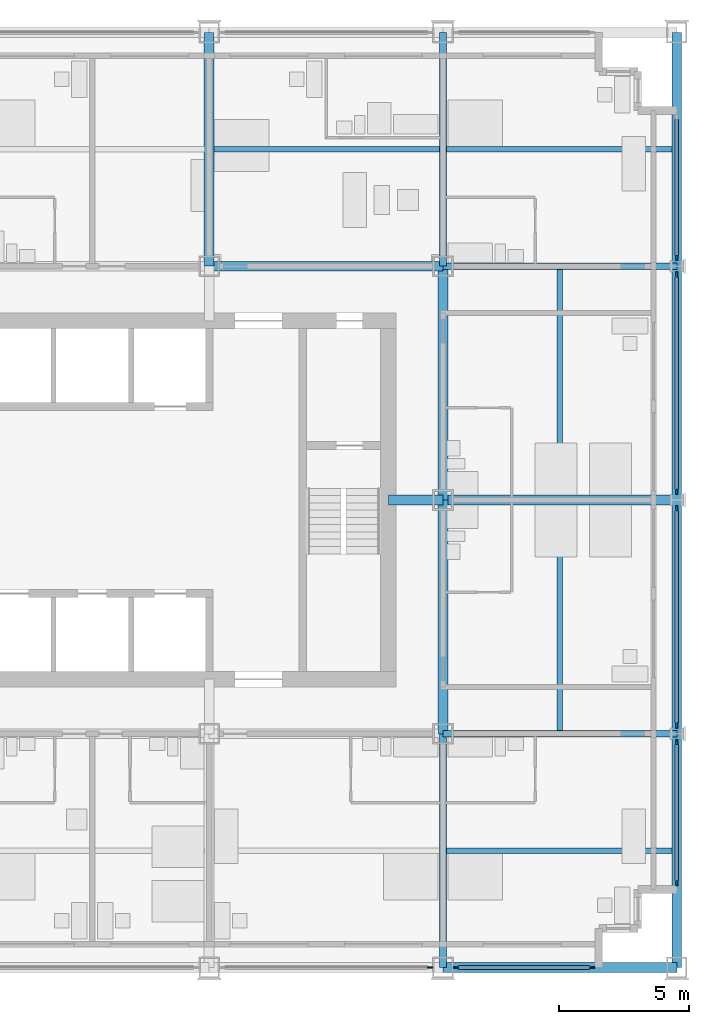
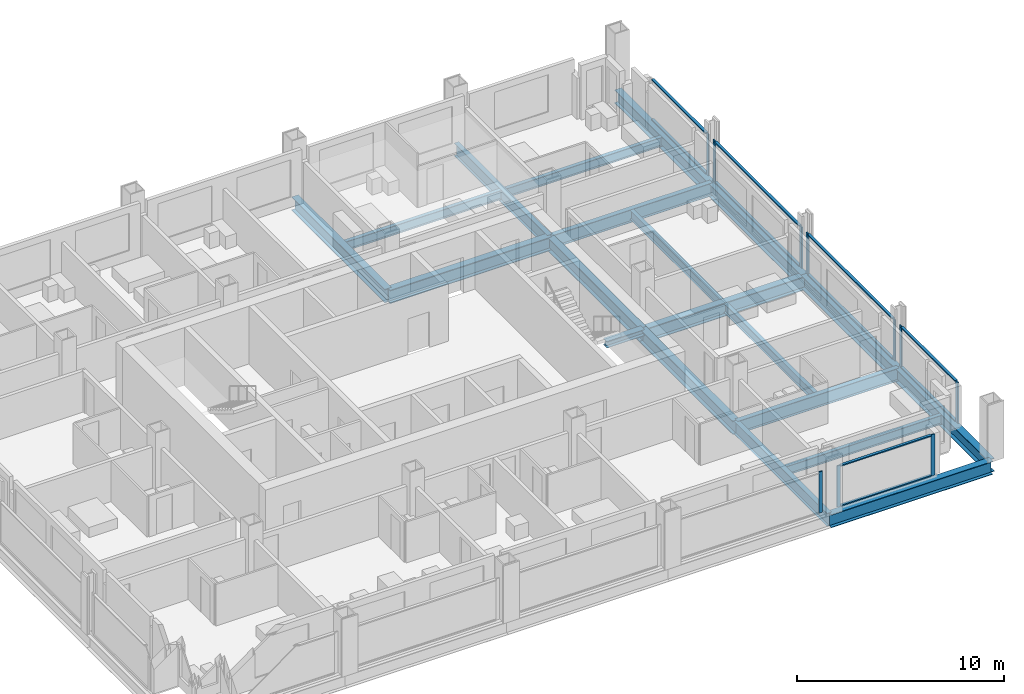
# One storey, part 5 of 16: 21 members, 19 beams, 6 elements without a shape of their own.
"""IFC4 building model written with IfcOpenShell, lengths in metres."""

from ifc_helpers import new_model, si_unit, direction, frame, origin, origin_2d, place, context, subcontext, project, spatial, rectangle, i_section, extrude, material, material_profile, profile_set, type_object, element, aggregate, save


model = new_model("IFC4")

# Units and contexts
model_context = context("Model", 3, precision=1e-05, world=origin(), true_north=direction((0.0, 1.0)))
body_context = subcontext(model_context, "Body", "Model", "MODEL_VIEW")
ifc_project = project(units=[si_unit("LENGTHUNIT", "METRE"), si_unit("AREAUNIT", "SQUARE_METRE"), si_unit("VOLUMEUNIT", "CUBIC_METRE"), si_unit("PLANEANGLEUNIT", "RADIAN"), si_unit("MASSUNIT", "GRAM", prefix="KILO")], contexts=[model_context])

# Site, building, storey
site_placement = place(None, origin())
site = spatial("IfcSite", under=ifc_project, at=site_placement, CompositionType="ELEMENT")
building_placement = place(site_placement, origin())
building = spatial("IfcBuilding", under=site, at=building_placement, Name="Loomwork Tower", CompositionType="ELEMENT")
storey_placement = place(building_placement, frame((0.0, 0.0, 131.60009765625)))
storey = spatial("IfcBuildingStorey", under=building, at=storey_placement, Name="L35", CompositionType="ELEMENT", Elevation=131.60009765625)

# Beams
ifc_material_1 = material(Name="Steel ASTM A992", Category="steel")
ifc_material_profile_1 = material_profile(ifc_material_1, i_section(OverallWidth=0.383544921875, OverallDepth=0.794921875, WebThickness=0.02099609375, FlangeThickness=0.0380859375, at=origin_2d()), Name="W30x235")
ifc_profile_set_1 = profile_set([ifc_material_profile_1], Name="Steel ASTM A992")
beam_type_1 = type_object("IfcBeamType", Name="CORE FLANK GIRDER W30x235", PredefinedType="BEAM", material=ifc_profile_set_1)
for number, where, z_axis, x_axis, name in (
    (1, (36.0, 18.0, -0.59765625), (1.0, 0.0, 0.0), (0.0, 1.0, 0.0), "Core Flank Girder F/6-F/7 L35"),
    (2, (27.0, 27.0, -0.59765625), (1.0, 0.0, 0.0), (0.0, 1.0, 0.0), "Core Flank Girder G/5-G/6 L35"),
    (3, (27.0, 27.0, -0.59765625), (0.0, 1.0, 0.0), (-1.0, 0.0, 0.0), "Core Flank Girder G/5-H/5 L35"),
    (4, (36.0, 9.0, -0.59765625), (0.0, 1.0, 0.0), (-1.0, 0.0, 0.0), "Core Flank Girder E/6-F/6 L35"),
    (5, (36.0, 18.0, -0.59765625), (0.0, 1.0, 0.0), (-1.0, 0.0, 0.0), "Core Flank Girder F/6-G/6 L35"),
):
    element("IfcBeam", number, at=place(storey_placement, frame(where, z_axis=z_axis, x_axis=x_axis)), inside=storey, type_object=beam_type_1, Name=name, PredefinedType="BEAM", context=body_context, shape_type="SweptSolid", body=[
        extrude(i_section(OverallWidth=0.383544921875, OverallDepth=0.794921875, WebThickness=0.02099609375, FlangeThickness=0.0380859375, at=origin_2d()), origin(), (0.0, 0.0, 1.0), 9.0),
    ])

# Member
ifc_material_2 = material(Name="Steel ASTM A992", Category="steel")
ifc_material_profile_2 = material_profile(ifc_material_2, i_section(OverallWidth=0.373291015625, OverallDepth=0.373291015625, WebThickness=0.016357421875, FlangeThickness=0.026123046875, at=origin_2d()), Name="W14x132")
ifc_profile_set_2 = profile_set([ifc_material_profile_2], Name="Steel ASTM A992")
member_type_1 = type_object("IfcMemberType", Name="CORE LINK STRUT W14x132", PredefinedType="STRUT", material=ifc_profile_set_2)
member_1_placement = place(storey_placement, frame((36.0, 18.0, -0.38671875), z_axis=(-1.0, 0.0, 0.0), x_axis=(0.0, -1.0, 0.0)))
element("IfcMember", 6, at=member_1_placement, inside=storey, type_object=member_type_1, Name="Core link strut F/6-33.900,18.000 L35", PredefinedType="STRUT", context=body_context, shape_type="SweptSolid", body=[
    extrude(i_section(OverallWidth=0.373291015625, OverallDepth=0.373291015625, WebThickness=0.016357421875, FlangeThickness=0.026123046875, at=origin_2d()), origin(), (0.0, 0.0, 1.0), 2.10009765625),
])

# Beams
ifc_material_3 = material(Name="Steel ASTM A992", Category="steel")
ifc_material_profile_3 = material_profile(ifc_material_3, i_section(OverallWidth=0.2666015625, OverallDepth=0.761962890625, WebThickness=0.014404296875, FlangeThickness=0.021484375, at=origin_2d()), Name="W30x116")
ifc_profile_set_3 = profile_set([ifc_material_profile_3], Name="Steel ASTM A992")
beam_type_2 = type_object("IfcBeamType", Name="FLOOR GIRDER W30x116", PredefinedType="BEAM", material=ifc_profile_set_3)
for number, where, z_axis, x_axis, name in (
    (7, (36.0, 9.0, -0.5810546875), (1.0, 0.0, 0.0), (0.0, 1.0, 0.0), "Floor Girder E/6-E/7 L35"),
    (8, (36.0, 27.0, -0.5810546875), (1.0, 0.0, 0.0), (0.0, 1.0, 0.0), "Floor Girder G/6-G/7 L35"),
    (9, (36.0, 0.0, -0.5810546875), (0.0, 1.0, 0.0), (-1.0, 0.0, 0.0), "Floor Girder D/6-E/6 L35"),
    (10, (36.0, 27.0, -0.5810546875), (0.0, 1.0, 0.0), (-1.0, 0.0, 0.0), "Floor Girder G/6-H/6 L35"),
):
    element("IfcBeam", number, at=place(storey_placement, frame(where, z_axis=z_axis, x_axis=x_axis)), inside=storey, type_object=beam_type_2, Name=name, PredefinedType="BEAM", context=body_context, shape_type="SweptSolid", body=[
        extrude(i_section(OverallWidth=0.2666015625, OverallDepth=0.761962890625, WebThickness=0.014404296875, FlangeThickness=0.021484375, at=origin_2d()), origin(), (0.0, 0.0, 1.0), 9.0),
    ])
ifc_material_4 = material(Name="Steel ASTM A992", Category="steel")
ifc_material_profile_4 = material_profile(ifc_material_4, i_section(OverallWidth=0.2109375, OverallDepth=0.53857421875, WebThickness=0.011474609375, FlangeThickness=0.018798828125, at=origin_2d()), Name="W21x73")
ifc_profile_set_4 = profile_set([ifc_material_profile_4], Name="Steel ASTM A992")
beam_type_3 = type_object("IfcBeamType", Name="FLOOR JOIST W21x73", PredefinedType="JOIST", material=ifc_profile_set_4)
beam_1_placement = place(storey_placement, frame((27.19091796875, 31.5, -0.46923828125), z_axis=(1.0, 0.0, 0.0), x_axis=(0.0, 1.0, 0.0)))
element("IfcBeam", 11, at=beam_1_placement, inside=storey, type_object=beam_type_3, Name="Floor Joist 27.000,31.500-36.000,31.500 L35", PredefinedType="JOIST", context=body_context, shape_type="SweptSolid", body=[
    extrude(i_section(OverallWidth=0.2109375, OverallDepth=0.53857421875, WebThickness=0.011474609375, FlangeThickness=0.018798828125, at=origin_2d()), origin(), (0.0, 0.0, 1.0), 8.676025390625),
])
beam_2_placement = place(storey_placement, frame((36.133056640625, 4.5, -0.46923828125), z_axis=(1.0, 0.0, 0.0), x_axis=(0.0, 1.0, 0.0)))
element("IfcBeam", 12, at=beam_2_placement, inside=storey, type_object=beam_type_3, Name="Floor Joist 36.000,4.500-45.000,4.500 L35", PredefinedType="JOIST", context=body_context, shape_type="SweptSolid", body=[
    extrude(i_section(OverallWidth=0.2109375, OverallDepth=0.53857421875, WebThickness=0.011474609375, FlangeThickness=0.018798828125, at=origin_2d()), origin(), (0.0, 0.0, 1.0), 8.677001953125),
])
for number, where, z_axis, x_axis, name in (
    (13, (40.5, 9.133056640625, -0.46923828125), (0.0, 1.0, 0.0), (-1.0, 0.0, 0.0), "Floor Joist 40.500,9.000-40.500,18.000 L35"),
    (14, (40.5, 18.19091796875, -0.46923828125), (0.0, 1.0, 0.0), (-1.0, 0.0, 0.0), "Floor Joist 40.500,18.000-40.500,27.000 L35"),
):
    element("IfcBeam", number, at=place(storey_placement, frame(where, z_axis=z_axis, x_axis=x_axis)), inside=storey, type_object=beam_type_3, Name=name, PredefinedType="JOIST", context=body_context, shape_type="SweptSolid", body=[
        extrude(i_section(OverallWidth=0.2109375, OverallDepth=0.53857421875, WebThickness=0.011474609375, FlangeThickness=0.018798828125, at=origin_2d()), origin(), (0.0, 0.0, 1.0), 8.676025390625),
    ])
beam_3_placement = place(storey_placement, frame((36.133056640625, 31.5, -0.46923828125), z_axis=(1.0, 0.0, 0.0), x_axis=(0.0, 1.0, 0.0)))
element("IfcBeam", 15, at=beam_3_placement, inside=storey, type_object=beam_type_3, Name="Floor Joist 36.000,31.500-45.000,31.500 L35", PredefinedType="JOIST", context=body_context, shape_type="SweptSolid", body=[
    extrude(i_section(OverallWidth=0.2109375, OverallDepth=0.53857421875, WebThickness=0.011474609375, FlangeThickness=0.018798828125, at=origin_2d()), origin(), (0.0, 0.0, 1.0), 8.677001953125),
])

# Curtain wall, member
ifc_material_5 = material(Name="Aluminium curtain wall frame", Category="aluminium")
curtain_wall_type = type_object("IfcCurtainWallType", Name="Outer skin glazing hotel", PredefinedType="NOTDEFINED", material=ifc_material_5)
curtain_wall_1_placement = place(storey_placement, origin())
curtain_wall_1 = element("IfcCurtainWall", 16, at=curtain_wall_1_placement, inside=storey, type_object=curtain_wall_type, Name="Outer skin glazing hotel cw/S-27", PredefinedType="NOTDEFINED")
ifc_material_6 = material(Name="Aluminium curtain wall frame", Category="aluminium")
ifc_material_profile_5 = material_profile(ifc_material_6, rectangle(XDim=0.06494140625, YDim=0.199951171875, at=origin_2d()), Name="AL 65x200")
ifc_profile_set_5 = profile_set([ifc_material_profile_5], Name="Aluminium curtain wall frame")
member_type_2 = type_object("IfcMemberType", Name="Outer skin glazing hotel mullion", PredefinedType="MULLION", material=ifc_profile_set_5)
member_2_placement = place(storey_placement, frame((35.5, 0.0, 0.0), z_axis=(0.0, 0.0, 1.0), x_axis=(0.0, 1.0, 0.0)))
member_2 = element("IfcMember", 17, at=member_2_placement, type_object=member_type_2, Name="CW1 mullion 2", PredefinedType="MULLION", context=body_context, shape_type="SweptSolid", body=[
    extrude(rectangle(XDim=0.06494140625, YDim=0.199951171875, at=origin_2d()), origin(), (0.0, 0.0, 1.0), 2.420166015625),
])
aggregate(curtain_wall_1, [member_2])

# Curtain wall, members
curtain_wall_2_placement = place(storey_placement, origin())
curtain_wall_2 = element("IfcCurtainWall", 18, at=curtain_wall_2_placement, inside=storey, type_object=curtain_wall_type, Name="Outer skin glazing hotel cw/S-36", PredefinedType="NOTDEFINED")
member_3_placement = place(storey_placement, frame((36.5, 0.0, 0.0), z_axis=(0.0, 0.0, 1.0), x_axis=(0.0, 1.0, 0.0)))
member_3 = element("IfcMember", 19, at=member_3_placement, type_object=member_type_2, Name="CW1 mullion 1", PredefinedType="MULLION", context=body_context, shape_type="SweptSolid", body=[
    extrude(rectangle(XDim=0.06494140625, YDim=0.199951171875, at=origin_2d()), origin(), (0.0, 0.0, 1.0), 2.420166015625),
])
member_4_placement = place(storey_placement, frame((41.75, 0.0, 0.0), z_axis=(0.0, 0.0, 1.0), x_axis=(0.0, 1.0, 0.0)))
member_4 = element("IfcMember", 20, at=member_4_placement, type_object=member_type_2, Name="CW1 mullion 2", PredefinedType="MULLION", context=body_context, shape_type="SweptSolid", body=[
    extrude(rectangle(XDim=0.06494140625, YDim=0.199951171875, at=origin_2d()), origin(), (0.0, 0.0, 1.0), 2.420166015625),
])

curtain_wall_3_placement = place(storey_placement, origin())
curtain_wall_3 = element("IfcCurtainWall", 21, at=curtain_wall_3_placement, inside=storey, type_object=curtain_wall_type, Name="Outer skin glazing hotel cw/E-0", PredefinedType="NOTDEFINED")
member_5_placement = place(storey_placement, frame((45.0, 3.25, 0.0), z_axis=(0.0, 0.0, 1.0), x_axis=(-1.0, 0.0, 0.0)))
member_5 = element("IfcMember", 22, at=member_5_placement, type_object=member_type_2, Name="CW1 mullion 1", PredefinedType="MULLION", context=body_context, shape_type="SweptSolid", body=[
    extrude(rectangle(XDim=0.06494140625, YDim=0.199951171875, at=origin_2d()), origin(), (0.0, 0.0, 1.0), 2.420166015625),
])
member_6_placement = place(storey_placement, frame((45.0, 8.678955078125, 0.0), z_axis=(0.0, 0.0, 1.0), x_axis=(-1.0, 0.0, 0.0)))
member_6 = element("IfcMember", 23, at=member_6_placement, type_object=member_type_2, Name="CW1 mullion 2", PredefinedType="MULLION", context=body_context, shape_type="SweptSolid", body=[
    extrude(rectangle(XDim=0.06494140625, YDim=0.199951171875, at=origin_2d()), origin(), (0.0, 0.0, 1.0), 2.420166015625),
])

curtain_wall_4_placement = place(storey_placement, origin())
curtain_wall_4 = element("IfcCurtainWall", 24, at=curtain_wall_4_placement, inside=storey, type_object=curtain_wall_type, Name="Outer skin glazing hotel cw/E-9", PredefinedType="NOTDEFINED")
member_7_placement = place(storey_placement, frame((45.0, 9.321044921875, 0.0), z_axis=(0.0, 0.0, 1.0), x_axis=(-1.0, 0.0, 0.0)))
member_7 = element("IfcMember", 25, at=member_7_placement, type_object=member_type_2, Name="CW1 mullion 1", PredefinedType="MULLION", context=body_context, shape_type="SweptSolid", body=[
    extrude(rectangle(XDim=0.06494140625, YDim=0.199951171875, at=origin_2d()), origin(), (0.0, 0.0, 1.0), 2.420166015625),
])
member_8_placement = place(storey_placement, frame((45.0, 17.678955078125, 0.0), z_axis=(0.0, 0.0, 1.0), x_axis=(-1.0, 0.0, 0.0)))
member_8 = element("IfcMember", 26, at=member_8_placement, type_object=member_type_2, Name="CW1 mullion 2", PredefinedType="MULLION", context=body_context, shape_type="SweptSolid", body=[
    extrude(rectangle(XDim=0.06494140625, YDim=0.199951171875, at=origin_2d()), origin(), (0.0, 0.0, 1.0), 2.420166015625),
])

curtain_wall_5_placement = place(storey_placement, origin())
curtain_wall_5 = element("IfcCurtainWall", 27, at=curtain_wall_5_placement, inside=storey, type_object=curtain_wall_type, Name="Outer skin glazing hotel cw/E-18", PredefinedType="NOTDEFINED")
member_9_placement = place(storey_placement, frame((45.0, 18.321044921875, 0.0), z_axis=(0.0, 0.0, 1.0), x_axis=(-1.0, 0.0, 0.0)))
member_9 = element("IfcMember", 28, at=member_9_placement, type_object=member_type_2, Name="CW1 mullion 1", PredefinedType="MULLION", context=body_context, shape_type="SweptSolid", body=[
    extrude(rectangle(XDim=0.06494140625, YDim=0.199951171875, at=origin_2d()), origin(), (0.0, 0.0, 1.0), 2.420166015625),
])
member_10_placement = place(storey_placement, frame((45.0, 26.678955078125, 0.0), z_axis=(0.0, 0.0, 1.0), x_axis=(-1.0, 0.0, 0.0)))
member_10 = element("IfcMember", 29, at=member_10_placement, type_object=member_type_2, Name="CW1 mullion 2", PredefinedType="MULLION", context=body_context, shape_type="SweptSolid", body=[
    extrude(rectangle(XDim=0.06494140625, YDim=0.199951171875, at=origin_2d()), origin(), (0.0, 0.0, 1.0), 2.420166015625),
])

# Curtain wall, member
curtain_wall_6_placement = place(storey_placement, origin())
curtain_wall_6 = element("IfcCurtainWall", 30, at=curtain_wall_6_placement, inside=storey, type_object=curtain_wall_type, Name="Outer skin glazing hotel cw/E-27", PredefinedType="NOTDEFINED")
member_11_placement = place(storey_placement, frame((45.0, 27.321044921875, 0.0), z_axis=(0.0, 0.0, 1.0), x_axis=(-1.0, 0.0, 0.0)))
member_11 = element("IfcMember", 31, at=member_11_placement, type_object=member_type_2, Name="CW1 mullion 1", PredefinedType="MULLION", context=body_context, shape_type="SweptSolid", body=[
    extrude(rectangle(XDim=0.06494140625, YDim=0.199951171875, at=origin_2d()), origin(), (0.0, 0.0, 1.0), 2.420166015625),
])

# Member
ifc_material_7 = material(Name="Aluminium curtain wall frame", Category="aluminium")
ifc_material_profile_6 = material_profile(ifc_material_7, rectangle(XDim=0.14990234375, YDim=0.06494140625, at=origin_2d()), Name="AL 65x150")
ifc_profile_set_6 = profile_set([ifc_material_profile_6], Name="Aluminium curtain wall frame")
member_type_3 = type_object("IfcMemberType", Name="Outer skin glazing hotel transom", PredefinedType="USERDEFINED", material=ifc_profile_set_6)
member_12_placement = place(storey_placement, frame((36.60009765625, 0.0, 0.032470703125), z_axis=(1.0, 0.0, 0.0), x_axis=(0.0, 1.0, 0.0)))
member_12 = element("IfcMember", 32, at=member_12_placement, type_object=member_type_3, Name="CW1 transom 1.1", ObjectType="TRANSOM", PredefinedType="USERDEFINED", context=body_context, shape_type="SweptSolid", body=[
    extrude(rectangle(XDim=0.14990234375, YDim=0.06494140625, at=origin_2d()), origin(), (0.0, 0.0, 1.0), 5.0498046875),
])

member_13_placement = place(storey_placement, frame((36.60009765625, 0.0, 2.3876953125), z_axis=(1.0, 0.0, 0.0), x_axis=(0.0, 1.0, 0.0)))
member_13 = element("IfcMember", 33, at=member_13_placement, type_object=member_type_3, Name="CW1 transom 1.2", ObjectType="TRANSOM", PredefinedType="USERDEFINED", context=body_context, shape_type="SweptSolid", body=[
    extrude(rectangle(XDim=0.14990234375, YDim=0.06494140625, at=origin_2d()), origin(), (0.0, 0.0, 1.0), 5.0498046875),
])

aggregate(curtain_wall_2, [member_3, member_4, member_12, member_13])

member_14_placement = place(storey_placement, frame((45.0, 3.35009765625, 0.032470703125), z_axis=(0.0, 1.0, 0.0), x_axis=(-1.0, 0.0, 0.0)))
member_14 = element("IfcMember", 34, at=member_14_placement, type_object=member_type_3, Name="CW1 transom 1.1", ObjectType="TRANSOM", PredefinedType="USERDEFINED", context=body_context, shape_type="SweptSolid", body=[
    extrude(rectangle(XDim=0.14990234375, YDim=0.06494140625, at=origin_2d()), origin(), (0.0, 0.0, 1.0), 5.22900390625),
])

member_15_placement = place(storey_placement, frame((45.0, 3.35009765625, 2.3876953125), z_axis=(0.0, 1.0, 0.0), x_axis=(-1.0, 0.0, 0.0)))
member_15 = element("IfcMember", 35, at=member_15_placement, type_object=member_type_3, Name="CW1 transom 1.2", ObjectType="TRANSOM", PredefinedType="USERDEFINED", context=body_context, shape_type="SweptSolid", body=[
    extrude(rectangle(XDim=0.14990234375, YDim=0.06494140625, at=origin_2d()), origin(), (0.0, 0.0, 1.0), 5.22900390625),
])

aggregate(curtain_wall_3, [member_5, member_6, member_14, member_15])

member_16_placement = place(storey_placement, frame((45.0, 9.4208984375, 0.032470703125), z_axis=(0.0, 1.0, 0.0), x_axis=(-1.0, 0.0, 0.0)))
member_16 = element("IfcMember", 36, at=member_16_placement, type_object=member_type_3, Name="CW1 transom 1.1", ObjectType="TRANSOM", PredefinedType="USERDEFINED", context=body_context, shape_type="SweptSolid", body=[
    extrude(rectangle(XDim=0.14990234375, YDim=0.06494140625, at=origin_2d()), origin(), (0.0, 0.0, 1.0), 8.158203125),
])

member_17_placement = place(storey_placement, frame((45.0, 9.4208984375, 2.3876953125), z_axis=(0.0, 1.0, 0.0), x_axis=(-1.0, 0.0, 0.0)))
member_17 = element("IfcMember", 37, at=member_17_placement, type_object=member_type_3, Name="CW1 transom 1.2", ObjectType="TRANSOM", PredefinedType="USERDEFINED", context=body_context, shape_type="SweptSolid", body=[
    extrude(rectangle(XDim=0.14990234375, YDim=0.06494140625, at=origin_2d()), origin(), (0.0, 0.0, 1.0), 8.158203125),
])

aggregate(curtain_wall_4, [member_7, member_8, member_16, member_17])

member_18_placement = place(storey_placement, frame((45.0, 18.4208984375, 0.032470703125), z_axis=(0.0, 1.0, 0.0), x_axis=(-1.0, 0.0, 0.0)))
member_18 = element("IfcMember", 38, at=member_18_placement, type_object=member_type_3, Name="CW1 transom 1.1", ObjectType="TRANSOM", PredefinedType="USERDEFINED", context=body_context, shape_type="SweptSolid", body=[
    extrude(rectangle(XDim=0.14990234375, YDim=0.06494140625, at=origin_2d()), origin(), (0.0, 0.0, 1.0), 8.158203125),
])

member_19_placement = place(storey_placement, frame((45.0, 18.4208984375, 2.3876953125), z_axis=(0.0, 1.0, 0.0), x_axis=(-1.0, 0.0, 0.0)))
member_19 = element("IfcMember", 39, at=member_19_placement, type_object=member_type_3, Name="CW1 transom 1.2", ObjectType="TRANSOM", PredefinedType="USERDEFINED", context=body_context, shape_type="SweptSolid", body=[
    extrude(rectangle(XDim=0.14990234375, YDim=0.06494140625, at=origin_2d()), origin(), (0.0, 0.0, 1.0), 8.158203125),
])

aggregate(curtain_wall_5, [member_9, member_10, member_18, member_19])

member_20_placement = place(storey_placement, frame((45.0, 27.4208984375, 0.032470703125), z_axis=(0.0, 1.0, 0.0), x_axis=(-1.0, 0.0, 0.0)))
member_20 = element("IfcMember", 40, at=member_20_placement, type_object=member_type_3, Name="CW1 transom 1.1", ObjectType="TRANSOM", PredefinedType="USERDEFINED", context=body_context, shape_type="SweptSolid", body=[
    extrude(rectangle(XDim=0.14990234375, YDim=0.06494140625, at=origin_2d()), origin(), (0.0, 0.0, 1.0), 5.22900390625),
])

member_21_placement = place(storey_placement, frame((45.0, 27.4208984375, 2.3876953125), z_axis=(0.0, 1.0, 0.0), x_axis=(-1.0, 0.0, 0.0)))
member_21 = element("IfcMember", 41, at=member_21_placement, type_object=member_type_3, Name="CW1 transom 1.2", ObjectType="TRANSOM", PredefinedType="USERDEFINED", context=body_context, shape_type="SweptSolid", body=[
    extrude(rectangle(XDim=0.14990234375, YDim=0.06494140625, at=origin_2d()), origin(), (0.0, 0.0, 1.0), 5.22900390625),
])

aggregate(curtain_wall_6, [member_11, member_20, member_21])

# Beams
ifc_material_8 = material(Name="Steel ASTM A992", Category="steel")
ifc_material_profile_7 = material_profile(ifc_material_8, i_section(OverallWidth=0.381103515625, OverallDepth=0.77978515625, WebThickness=0.01806640625, FlangeThickness=0.0302734375, at=origin_2d()), Name="W30x191")
ifc_profile_set_7 = profile_set([ifc_material_profile_7], Name="Steel ASTM A992")
beam_type_4 = type_object("IfcBeamType", Name="SPANDREL GIRDER W30x191", PredefinedType="SPANDREL", material=ifc_profile_set_7)
for number, where, z_axis, x_axis, name in (
    (42, (36.0, 0.0, -0.590087890625), (1.0, 0.0, 0.0), (0.0, 1.0, 0.0), "Spandrel Girder D/6-D/7 L35"),
    (43, (45.0, 0.0, -0.590087890625), (0.0, 1.0, 0.0), (-1.0, 0.0, 0.0), "Spandrel Girder D/7-E/7 L35"),
    (44, (45.0, 9.0, -0.590087890625), (0.0, 1.0, 0.0), (-1.0, 0.0, 0.0), "Spandrel Girder E/7-F/7 L35"),
    (45, (45.0, 18.0, -0.590087890625), (0.0, 1.0, 0.0), (-1.0, 0.0, 0.0), "Spandrel Girder F/7-G/7 L35"),
    (46, (45.0, 27.0, -0.590087890625), (0.0, 1.0, 0.0), (-1.0, 0.0, 0.0), "Spandrel Girder G/7-H/7 L35"),
):
    element("IfcBeam", number, at=place(storey_placement, frame(where, z_axis=z_axis, x_axis=x_axis)), inside=storey, type_object=beam_type_4, Name=name, PredefinedType="SPANDREL", context=body_context, shape_type="SweptSolid", body=[
        extrude(i_section(OverallWidth=0.381103515625, OverallDepth=0.77978515625, WebThickness=0.01806640625, FlangeThickness=0.0302734375, at=origin_2d()), origin(), (0.0, 0.0, 1.0), 9.0),
    ])

save(model, "model.ifc")
